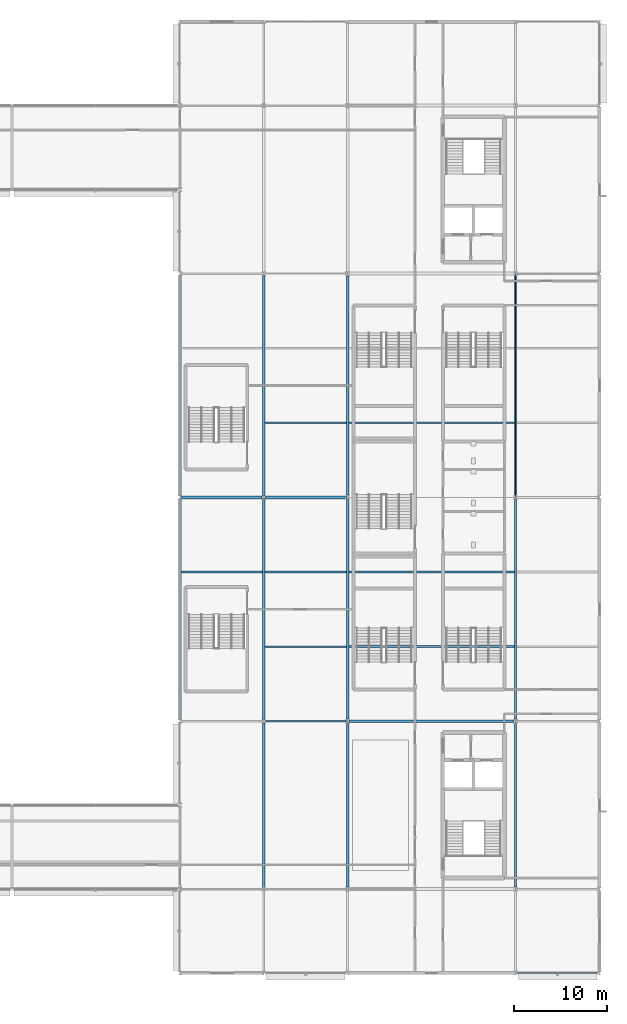
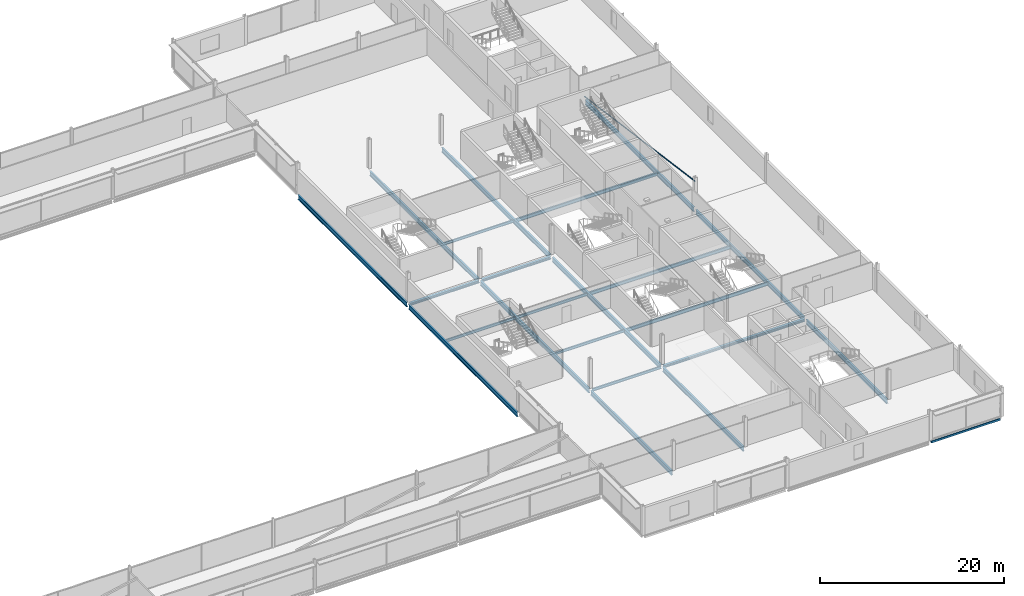
# One storey, part 44 of 98: 23 beams, 1 member.
"""IFC4 building model written with IfcOpenShell, lengths in metres."""

from ifc_helpers import new_model, si_unit, direction, frame, origin, origin_2d, place, context, subcontext, project, spatial, hollow_rectangle, hollow_circle, i_section, extrude, material, material_profile, profile_set, type_object, element, save


model = new_model("IFC4")

# Units and contexts
model_context = context("Model", 3, precision=1e-05, world=origin(), true_north=direction((0.0, 1.0)))
body_context = subcontext(model_context, "Body", "Model", "MODEL_VIEW")
ifc_project = project(units=[si_unit("LENGTHUNIT", "METRE"), si_unit("AREAUNIT", "SQUARE_METRE"), si_unit("VOLUMEUNIT", "CUBIC_METRE"), si_unit("PLANEANGLEUNIT", "RADIAN"), si_unit("MASSUNIT", "GRAM", prefix="KILO")], contexts=[model_context])

# Site, building, storey
site_placement = place(None, origin())
site = spatial("IfcSite", under=ifc_project, at=site_placement, CompositionType="ELEMENT")
building_placement = place(site_placement, origin())
building = spatial("IfcBuilding", under=site, at=building_placement, Name="Kisiwana Market Hall", CompositionType="ELEMENT")
storey_placement = place(building_placement, frame((0.0, 0.0, 29.39990234375)))
storey = spatial("IfcBuildingStorey", under=building, at=storey_placement, Name="L06", CompositionType="ELEMENT", Elevation=29.39990234375)

# Beams
ifc_material_1 = material(Name="Steel S355", Category="steel")
ifc_material_profile_1 = material_profile(ifc_material_1, i_section(OverallWidth=0.22900390625, OverallDepth=0.6123046875, WebThickness=0.011962890625, FlangeThickness=0.01953125, at=origin_2d()), Name="UB 610x229x125")
ifc_profile_set_1 = profile_set([ifc_material_profile_1], Name="Steel S355")
beam_type_1 = type_object("IfcBeamType", Name="BM-GIRD-UB610H", PredefinedType="BEAM", material=ifc_profile_set_1)
for number, where, z_axis, x_axis, name in (
    (1, (153.0, 36.19921875, -0.551025390625), (0.0, 1.0, 0.0), (-1.0, 0.0, 0.0), "Floor beam B-1865"),
    (2, (153.0, 60.19921875, -0.551025390625), (0.0, 1.0, 0.0), (-1.0, 0.0, 0.0), "Floor beam B-1866"),
):
    element("IfcBeam", number, at=place(storey_placement, frame(where, z_axis=z_axis, x_axis=x_axis)), inside=storey, type_object=beam_type_1, Name=name, PredefinedType="BEAM", context=body_context, shape_type="SweptSolid", body=[
        extrude(i_section(OverallWidth=0.22900390625, OverallDepth=0.6123046875, WebThickness=0.011962890625, FlangeThickness=0.01953125, at=origin_2d()), origin(), (0.0, 0.0, 1.0), 23.6015625),
    ])
for number, where, z_axis, x_axis, name in (
    (3, (171.0, 36.24609375, -0.551025390625), (0.0, 1.0, 0.0), (-1.0, 0.0, 0.0), "Floor beam B-1869"),
    (4, (171.0, 60.24609375, -0.551025390625), (0.0, 1.0, 0.0), (-1.0, 0.0, 0.0), "Floor beam B-1870"),
):
    element("IfcBeam", number, at=place(storey_placement, frame(where, z_axis=z_axis, x_axis=x_axis)), inside=storey, type_object=beam_type_1, Name=name, PredefinedType="BEAM", context=body_context, shape_type="SweptSolid", body=[
        extrude(i_section(OverallWidth=0.22900390625, OverallDepth=0.6123046875, WebThickness=0.011962890625, FlangeThickness=0.01953125, at=origin_2d()), origin(), (0.0, 0.0, 1.0), 23.5078125),
    ])
beam_1_placement = place(storey_placement, frame((162.0, 18.19921875, -0.551025390625), z_axis=(0.0, 1.0, 0.0), x_axis=(-1.0, 0.0, 0.0)))
element("IfcBeam", 5, at=beam_1_placement, inside=storey, type_object=beam_type_1, Name="Primary girder B-1732", PredefinedType="BEAM", context=body_context, shape_type="SweptSolid", body=[
    extrude(i_section(OverallWidth=0.22900390625, OverallDepth=0.6123046875, WebThickness=0.011962890625, FlangeThickness=0.01953125, at=origin_2d()), origin(), (0.0, 0.0, 1.0), 17.6015625),
])
for number, where, z_axis, x_axis, name in (
    (6, (162.0, 36.19921875, -0.551025390625), (0.0, 1.0, 0.0), (-1.0, 0.0, 0.0), "Primary girder B-1733"),
    (7, (162.0, 60.19921875, -0.551025390625), (0.0, 1.0, 0.0), (-1.0, 0.0, 0.0), "Primary girder B-1734"),
):
    element("IfcBeam", number, at=place(storey_placement, frame(where, z_axis=z_axis, x_axis=x_axis)), inside=storey, type_object=beam_type_1, Name=name, PredefinedType="BEAM", context=body_context, shape_type="SweptSolid", body=[
        extrude(i_section(OverallWidth=0.22900390625, OverallDepth=0.6123046875, WebThickness=0.011962890625, FlangeThickness=0.01953125, at=origin_2d()), origin(), (0.0, 0.0, 1.0), 23.6015625),
    ])
for number, where, z_axis, x_axis, name in (
    (8, (171.0, 18.24609375, -0.551025390625), (0.0, 1.0, 0.0), (-1.0, 0.0, 0.0), "Primary girder B-1738"),
    (9, (189.0, 18.24609375, -0.551025390625), (0.0, 1.0, 0.0), (-1.0, 0.0, 0.0), "Primary girder B-1742"),
):
    element("IfcBeam", number, at=place(storey_placement, frame(where, z_axis=z_axis, x_axis=x_axis)), inside=storey, type_object=beam_type_1, Name=name, PredefinedType="BEAM", context=body_context, shape_type="SweptSolid", body=[
        extrude(i_section(OverallWidth=0.22900390625, OverallDepth=0.6123046875, WebThickness=0.011962890625, FlangeThickness=0.01953125, at=origin_2d()), origin(), (0.0, 0.0, 1.0), 17.5078125),
    ])
for number, where, z_axis, x_axis, name in (
    (10, (189.0, 36.24609375, -0.551025390625), (0.0, 1.0, 0.0), (-1.0, 0.0, 0.0), "Primary girder B-1743"),
    (11, (189.0, 60.24609375, -0.551025390625), (0.0, 1.0, 0.0), (-1.0, 0.0, 0.0), "Primary girder B-1744"),
):
    element("IfcBeam", number, at=place(storey_placement, frame(where, z_axis=z_axis, x_axis=x_axis)), inside=storey, type_object=beam_type_1, Name=name, PredefinedType="BEAM", context=body_context, shape_type="SweptSolid", body=[
        extrude(i_section(OverallWidth=0.22900390625, OverallDepth=0.6123046875, WebThickness=0.011962890625, FlangeThickness=0.01953125, at=origin_2d()), origin(), (0.0, 0.0, 1.0), 23.5078125),
    ])
ifc_material_2 = material(Name="Steel S355", Category="steel")
ifc_material_profile_2 = material_profile(ifc_material_2, i_section(OverallWidth=0.17138671875, OverallDepth=0.35498046875, WebThickness=0.00732421875, FlangeThickness=0.011474609375, at=origin_2d()), Name="UB 356x171x51")
ifc_profile_set_2 = profile_set([ifc_material_profile_2], Name="Steel S355")
beam_type_2 = type_object("IfcBeamType", Name="BM-JOIST-UB356", PredefinedType="JOIST", material=ifc_profile_set_2)
beam_2_placement = place(storey_placement, frame((162.19921875, 36.0, -0.42236328125), z_axis=(1.0, 0.0, 0.0), x_axis=(0.0, 1.0, 0.0)))
element("IfcBeam", 12, at=beam_2_placement, inside=storey, type_object=beam_type_2, Name="Floor beam B-1808", PredefinedType="JOIST", context=body_context, shape_type="SweptSolid", body=[
    extrude(i_section(OverallWidth=0.17138671875, OverallDepth=0.35498046875, WebThickness=0.00732421875, FlangeThickness=0.011474609375, at=origin_2d()), origin(), (0.0, 0.0, 1.0), 8.65478515625),
])
for number, where, z_axis, x_axis, name in (
    (13, (162.113525390625, 44.0, -0.42236328125), (1.0, 0.0, 0.0), (0.0, 1.0, 0.0), "Secondary floor joist B-1750"),
    (14, (153.113525390625, 52.0, -0.42236328125), (1.0, 0.0, 0.0), (0.0, 1.0, 0.0), "Secondary floor joist B-1757"),
    (15, (162.113525390625, 52.0, -0.42236328125), (1.0, 0.0, 0.0), (0.0, 1.0, 0.0), "Secondary floor joist B-1758"),
    (16, (162.113525390625, 68.0, -0.42236328125), (1.0, 0.0, 0.0), (0.0, 1.0, 0.0), "Secondary floor joist B-1764"),
):
    element("IfcBeam", number, at=place(storey_placement, frame(where, z_axis=z_axis, x_axis=x_axis)), inside=storey, type_object=beam_type_2, Name=name, PredefinedType="JOIST", context=body_context, shape_type="SweptSolid", body=[
        extrude(i_section(OverallWidth=0.17138671875, OverallDepth=0.35498046875, WebThickness=0.00732421875, FlangeThickness=0.011474609375, at=origin_2d()), origin(), (0.0, 0.0, 1.0), 8.77294921875),
    ])
ifc_material_3 = material(Name="Steel S355", Category="steel")
ifc_material_profile_3 = material_profile(ifc_material_3, i_section(OverallWidth=0.18994140625, OverallDepth=0.453369140625, WebThickness=0.008544921875, FlangeThickness=0.0126953125, at=origin_2d()), Name="UB 457x191x67")
ifc_profile_set_3 = profile_set([ifc_material_profile_3], Name="Steel S355")
beam_type_3 = type_object("IfcBeamType", Name="BM-JOIST-UB457", PredefinedType="JOIST", material=ifc_profile_set_3)
for number, where, z_axis, x_axis, name in (
    (17, (171.113525390625, 44.0, -0.4716796875), (1.0, 0.0, 0.0), (0.0, 1.0, 0.0), "Secondary floor joist B-1751"),
    (18, (171.113525390625, 52.0, -0.4716796875), (1.0, 0.0, 0.0), (0.0, 1.0, 0.0), "Secondary floor joist B-1759"),
    (19, (171.113525390625, 68.0, -0.4716796875), (1.0, 0.0, 0.0), (0.0, 1.0, 0.0), "Secondary floor joist B-1765"),
):
    element("IfcBeam", number, at=place(storey_placement, frame(where, z_axis=z_axis, x_axis=x_axis)), inside=storey, type_object=beam_type_3, Name=name, PredefinedType="JOIST", context=body_context, shape_type="SweptSolid", body=[
        extrude(i_section(OverallWidth=0.18994140625, OverallDepth=0.453369140625, WebThickness=0.008544921875, FlangeThickness=0.0126953125, at=origin_2d()), origin(), (0.0, 0.0, 1.0), 17.77294921875),
    ])
ifc_material_4 = material(Name="Steel S355", Category="steel")
ifc_material_profile_4 = material_profile(ifc_material_4, i_section(OverallWidth=0.314453125, OverallDepth=0.33984375, WebThickness=0.01904296875, FlangeThickness=0.031494140625, at=origin_2d()), Name="UC 305x305x198")
ifc_profile_set_4 = profile_set([ifc_material_profile_4], Name="Steel S355")
beam_type_4 = type_object("IfcBeamType", Name="BM-SKYBR-CHORD", PredefinedType="BEAM", material=ifc_profile_set_4)
beam_3_placement = place(storey_placement, frame((171.14599609375, 36.0, -0.414794921875), z_axis=(1.0, 0.0, 0.0), x_axis=(0.0, 1.0, 0.0)))
element("IfcBeam", 20, at=beam_3_placement, inside=storey, type_object=beam_type_4, Name="Floor beam B-1809", PredefinedType="BEAM", context=body_context, shape_type="SweptSolid", body=[
    extrude(i_section(OverallWidth=0.314453125, OverallDepth=0.33984375, WebThickness=0.01904296875, FlangeThickness=0.031494140625, at=origin_2d()), origin(), (0.0, 0.0, 1.0), 17.7080078125),
])
beam_4_placement = place(storey_placement, frame((153.19921875, 60.0, -0.414794921875), z_axis=(1.0, 0.0, 0.0), x_axis=(0.0, 1.0, 0.0)))
element("IfcBeam", 21, at=beam_4_placement, inside=storey, type_object=beam_type_4, Name="Floor beam B-1812", PredefinedType="BEAM", context=body_context, shape_type="SweptSolid", body=[
    extrude(i_section(OverallWidth=0.314453125, OverallDepth=0.33984375, WebThickness=0.01904296875, FlangeThickness=0.031494140625, at=origin_2d()), origin(), (0.0, 0.0, 1.0), 8.6015625),
])
beam_5_placement = place(storey_placement, frame((162.19921875, 60.0, -0.414794921875), z_axis=(1.0, 0.0, 0.0), x_axis=(0.0, 1.0, 0.0)))
element("IfcBeam", 22, at=beam_5_placement, inside=storey, type_object=beam_type_4, Name="Floor beam B-1698", PredefinedType="BEAM", context=body_context, shape_type="SweptSolid", body=[
    extrude(i_section(OverallWidth=0.314453125, OverallDepth=0.33984375, WebThickness=0.01904296875, FlangeThickness=0.031494140625, at=origin_2d()), origin(), (0.0, 0.0, 1.0), 8.65478515625),
])
ifc_material_5 = material(Name="Steel S355", Category="steel")
ifc_material_profile_5 = material_profile(ifc_material_5, hollow_rectangle(XDim=0.14990234375, YDim=0.25, WallThickness=0.010009765625, at=origin_2d()), Name="RHS 250x150x10.0")
ifc_profile_set_5 = profile_set([ifc_material_profile_5], Name="Steel S355")
beam_type_5 = type_object("IfcBeamType", Name="BM-SPAN-RHS250", PredefinedType="SPANDREL", material=ifc_profile_set_5)
beam_6_placement = place(storey_placement, frame((189.14599609375, 9.0, -0.369873046875), z_axis=(1.0, 0.0, 0.0), x_axis=(0.0, 1.0, 0.0)))
element("IfcBeam", 23, at=beam_6_placement, inside=storey, type_object=beam_type_5, Name="Floor beam B-1782", PredefinedType="SPANDREL", context=body_context, shape_type="SweptSolid", body=[
    extrude(hollow_rectangle(XDim=0.14990234375, YDim=0.25, WallThickness=0.010009765625, at=origin_2d()), origin(), (0.0, 0.0, 1.0), 8.65478515625),
])

# Member
ifc_material_6 = material(Name="Steel S355", Category="steel")
ifc_material_profile_6 = material_profile(ifc_material_6, hollow_circle(Radius=0.06982421875, WallThickness=0.008056640625, at=origin_2d()), Name="CHS 139.7x8")
ifc_profile_set_6 = profile_set([ifc_material_profile_6], Name="Steel S355")
member_type = type_object("IfcMemberType", Name="MB-CBF-CHS139", PredefinedType="BRACE", material=ifc_profile_set_6)
member_placement = place(storey_placement, frame((189.0, 84.0, 0.0), z_axis=(0.0, -0.990566729214, 0.13703121898), x_axis=(1.0, 0.0, 0.0)))
element("IfcMember", 24, at=member_placement, inside=storey, type_object=member_type, Name="CBF-E-S diagonal brace (L06) M-0032", PredefinedType="BRACE", context=body_context, shape_type="SweptSolid", body=[
    extrude(hollow_circle(Radius=0.06982421875, WallThickness=0.008056640625, at=origin_2d()), origin(), (0.0, 0.0, 1.0), 24.228515625),
])

save(model, "model.ifc")
